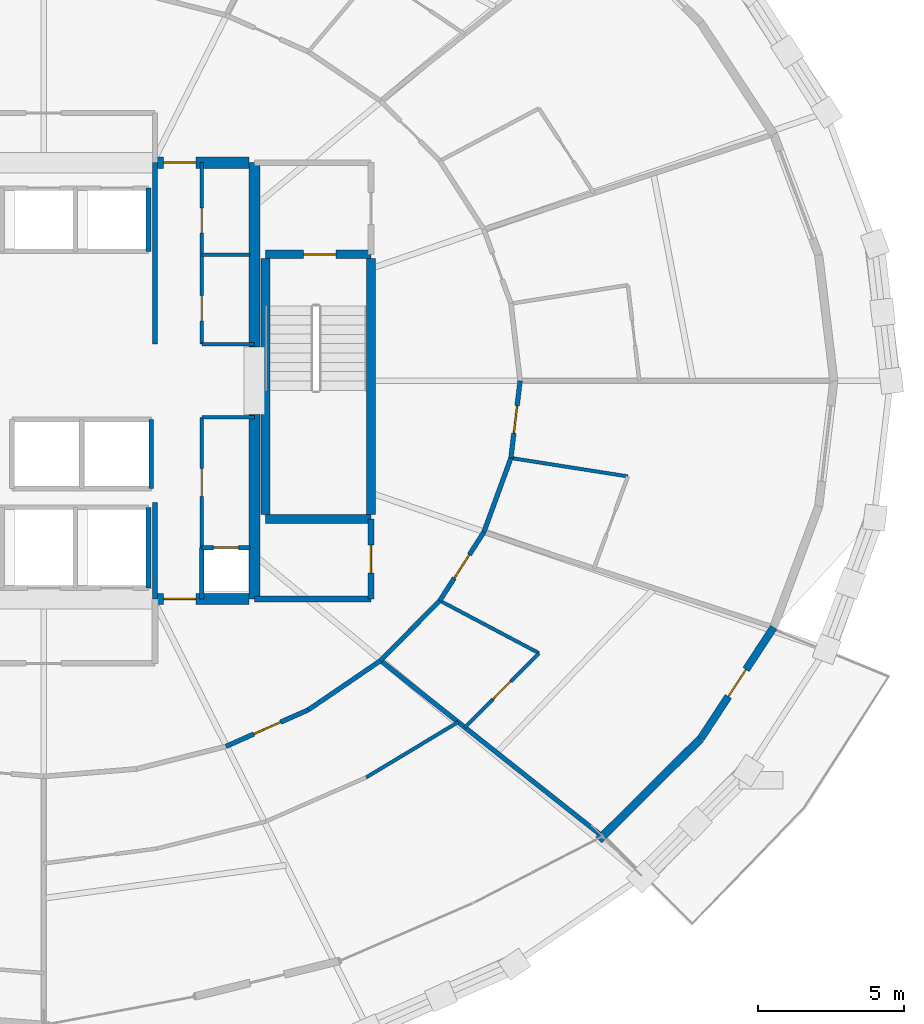
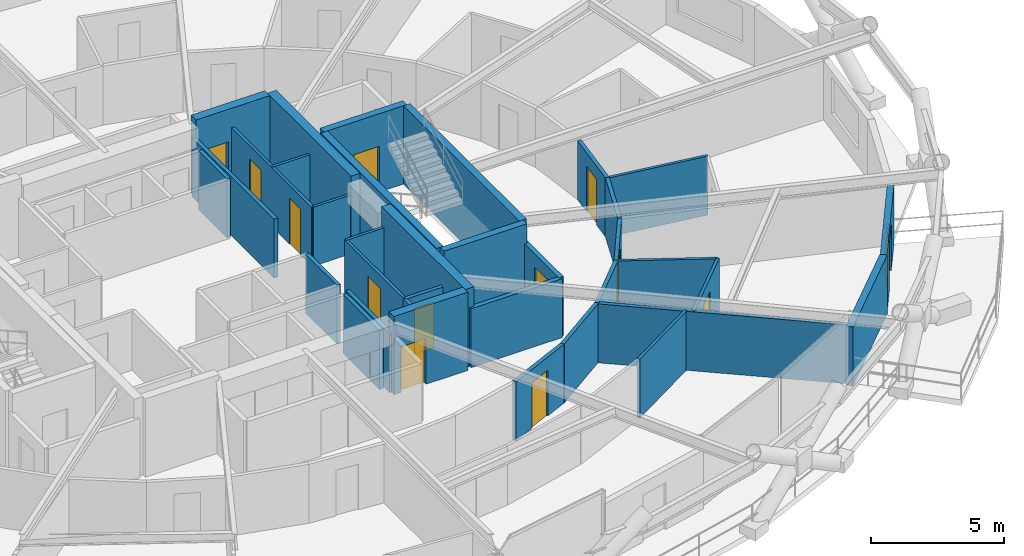
# One storey, part 11 of 14: 35 walls, 13 doors, 13 openings.
"""IFC4 building model written with IfcOpenShell, lengths in metres."""

from ifc_helpers import new_model, si_unit, direction, frame, frame_2d, origin, place, context, subcontext, project, spatial, rectangle, extrude, material, layer, layer_set, type_object, element, fill, save


model = new_model("IFC4")

# Units and contexts
model_context = context("Model", 3, precision=1e-05, world=origin(), true_north=direction((0.0, 1.0)))
body_context = subcontext(model_context, "Body", "Model", "MODEL_VIEW")
ifc_project = project(units=[si_unit("LENGTHUNIT", "METRE"), si_unit("AREAUNIT", "SQUARE_METRE"), si_unit("VOLUMEUNIT", "CUBIC_METRE"), si_unit("PLANEANGLEUNIT", "RADIAN"), si_unit("MASSUNIT", "GRAM", prefix="KILO")], contexts=[model_context])

# Site, building, storey
site_placement = place(None, origin())
site = spatial("IfcSite", under=ifc_project, at=site_placement, CompositionType="ELEMENT")
building_placement = place(site_placement, origin())
building = spatial("IfcBuilding", under=site, at=building_placement, Name="Veldorina Hangang Commons", CompositionType="ELEMENT")
storey_placement = place(building_placement, frame((0.0, 0.0, 88.0)))
storey = spatial("IfcBuildingStorey", under=building, at=storey_placement, Name="L22", CompositionType="ELEMENT", Elevation=88.0)

# Walls
ifc_material_1 = material(Name="Concrete C70/85", Category="concrete")
ifc_layer_1 = layer(ifc_material_1, 0.3798828125)
ifc_layer_set_1 = layer_set([ifc_layer_1], Name="Concrete C70/85")
wall_type_1 = type_object("IfcWallType", Name="CW-RC380-C70", PredefinedType="SHEAR", material=ifc_layer_set_1)
for number, where, z_axis, x_axis, name in (
    (1, (39.199951171875, 16.550048828125, 0.0), (0.0, 0.0, 1.0), (0.0, 1.0, 0.0), "L22 E south core shear wall"),
    (2, (39.199951171875, 25.14990234375, 0.0), (0.0, 0.0, 1.0), (0.0, 1.0, 0.0), "L22 E north core shear wall"),
):
    element("IfcWall", number, at=place(storey_placement, frame(where, z_axis=z_axis, x_axis=x_axis)), inside=storey, type_object=wall_type_1, Name=name, PredefinedType="SHEAR", context=body_context, shape_type="SweptSolid", body=[
        extrude(rectangle(XDim=6.300048828125, YDim=0.3798828125, at=frame_2d((3.14990234375, 0.0))), origin(), (0.0, 0.0, 1.0), 3.60009765625),
    ])

# Wall, opening, door
wall_1_placement = place(storey_placement, frame((35.800048828125, 16.550048828125, 0.0), z_axis=(0.0, 0.0, 1.0), x_axis=(1.0, 0.0, 0.0)))
wall_1 = element("IfcWall", 3, at=wall_1_placement, inside=storey, type_object=wall_type_1, Name="L22 south-east core shear wall", PredefinedType="SHEAR", context=body_context, shape_type="SweptSolid", body=[
    extrude(rectangle(XDim=3.2099609375, YDim=0.3798828125, at=frame_2d((1.60498046875, 0.0))), origin(), (0.0, 0.0, 1.0), 3.60009765625),
])
opening_1_placement = place(wall_1_placement, frame((0.300048828125, 0.0, 0.0)))
opening_1 = element("IfcOpeningElement", 4, at=opening_1_placement, cuts=wall_1, Name="Opening D-08", PredefinedType="OPENING", context=body_context, shape_type="SweptSolid", body=[
    extrude(rectangle(XDim=1.10009765625, YDim=2.10009765625, at=frame_2d((0.550048828125, 1.050048828125))), frame((0.0, 0.199951171875, 0.0), z_axis=(0.0, -1.0, 0.0), x_axis=(1.0, 0.0, 0.0)), (0.0, 0.0, 1.0), 0.39990234375),
])
ifc_material_2 = material(Name="Steel Fire-Rated Smoke Seal", Category="steel")
door_type_1 = type_object("IfcDoorType", Name="DR-FIRE-1100", OperationType="SINGLE_SWING_RIGHT", PredefinedType="DOOR", material=ifc_material_2)
door_1_placement = place(opening_1_placement, origin())
door_1 = element("IfcDoor", 5, at=door_1_placement, inside=storey, type_object=door_type_1, Name="L22 central lift lobby south corridor door", OperationType="SINGLE_SWING_RIGHT", OverallHeight=2.10009765625, OverallWidth=1.10009765625, PredefinedType="DOOR", context=body_context, shape_type="SweptSolid", body=[
    extrude(rectangle(XDim=1.10009765625, YDim=2.10009765625, at=frame_2d((0.550048828125, 1.050048828125))), frame((0.0, 0.02490234375, 0.0), z_axis=(0.0, -1.0, 0.0), x_axis=(1.0, 0.0, 0.0)), (0.0, 0.0, 1.0), 0.050048828125),
])
fill(opening_1, door_1)

wall_2_placement = place(storey_placement, frame((35.800048828125, 31.449951171875, 0.0), z_axis=(0.0, 0.0, 1.0), x_axis=(1.0, 0.0, 0.0)))
wall_2 = element("IfcWall", 6, at=wall_2_placement, inside=storey, type_object=wall_type_1, Name="L22 north-east core shear wall", PredefinedType="SHEAR", context=body_context, shape_type="SweptSolid", body=[
    extrude(rectangle(XDim=3.2099609375, YDim=0.3798828125, at=frame_2d((1.60498046875, 0.0))), origin(), (0.0, 0.0, 1.0), 3.60009765625),
])
opening_2_placement = place(wall_2_placement, frame((0.300048828125, 0.0, 0.0)))
opening_2 = element("IfcOpeningElement", 7, at=opening_2_placement, cuts=wall_2, Name="Opening D-08", PredefinedType="OPENING", context=body_context, shape_type="SweptSolid", body=[
    extrude(rectangle(XDim=1.10009765625, YDim=2.10009765625, at=frame_2d((0.550048828125, 1.050048828125))), frame((0.0, 0.199951171875, 0.0), z_axis=(0.0, -1.0, 0.0), x_axis=(1.0, 0.0, 0.0)), (0.0, 0.0, 1.0), 0.39990234375),
])
door_2_placement = place(opening_2_placement, origin())
door_2 = element("IfcDoor", 8, at=door_2_placement, inside=storey, type_object=door_type_1, Name="L22 central lift lobby north corridor door", OperationType="SINGLE_SWING_LEFT", OverallHeight=2.10009765625, OverallWidth=1.10009765625, PredefinedType="DOOR", context=body_context, shape_type="SweptSolid", body=[
    extrude(rectangle(XDim=1.10009765625, YDim=2.10009765625, at=frame_2d((0.550048828125, 1.050048828125))), frame((0.0, 0.02490234375, 0.0), z_axis=(0.0, -1.0, 0.0), x_axis=(1.0, 0.0, 0.0)), (0.0, 0.0, 1.0), 0.050048828125),
])
fill(opening_2, door_2)

ifc_material_3 = material(Name="Stone Roman Travertine", Category="masonry")
ifc_layer_2 = layer(ifc_material_3, 0.260009765625)
ifc_layer_set_2 = layer_set([ifc_layer_2], Name="Stone Roman Travertine")
wall_type_2 = type_object("IfcWallType", Name="EW-LOGGIA-260", PredefinedType="STANDARD", material=ifc_layer_set_2)
wall_3_placement = place(storey_placement, frame((54.44287109375, 11.77392578125, 0.0), z_axis=(0.0, 0.0, 1.0), x_axis=(0.548243756992, 0.836318589366, 0.0)))
wall_3 = element("IfcWall", 9, at=wall_3_placement, inside=storey, type_object=wall_type_2, Name="L22 sky-garden loggia portal wall 29", PredefinedType="STANDARD", context=body_context, shape_type="SweptSolid", body=[
    extrude(rectangle(XDim=4.54931640625, YDim=0.260009765625, at=frame_2d((2.274658203125, 0.0))), origin(), (0.0, 0.0, 1.0), 2.7099609375),
])
opening_3_placement = place(wall_3_placement, frame((1.724609375, 0.0, 0.0)))
opening_3 = element("IfcOpeningElement", 10, at=opening_3_placement, cuts=wall_3, Name="Opening BD-1100", PredefinedType="OPENING", context=body_context, shape_type="SweptSolid", body=[
    extrude(rectangle(XDim=1.10009765625, YDim=2.14990234375, at=frame_2d((0.550048828125, 1.074951171875))), frame((0.0, 0.14013671875, 0.0), z_axis=(0.0, -1.0, 0.0), x_axis=(1.0, 0.0, 0.0)), (0.0, 0.0, 1.0), 0.280029296875),
])
ifc_material_4 = material(Name="Glass Thermal Aluminium Frame", Category="aluminium")
door_type_2 = type_object("IfcDoorType", Name="DR-EXT-BAL1100", OperationType="SINGLE_SWING_RIGHT", PredefinedType="DOOR", material=ifc_material_4)
door_3_placement = place(opening_3_placement, origin())
door_3 = element("IfcDoor", 11, at=door_3_placement, inside=storey, type_object=door_type_2, Name="L22 tree balcony glazed exterior door 29", OperationType="SINGLE_SWING_RIGHT", OverallHeight=2.14990234375, OverallWidth=1.10009765625, PredefinedType="DOOR", context=body_context, shape_type="SweptSolid", body=[
    extrude(rectangle(XDim=1.10009765625, YDim=2.14990234375, at=frame_2d((0.550048828125, 1.074951171875))), frame((0.0, 0.02490234375, 0.0), z_axis=(0.0, -1.0, 0.0), x_axis=(1.0, 0.0, 0.0)), (0.0, 0.0, 1.0), 0.050048828125),
])
fill(opening_3, door_3)

# Walls
ifc_layer_3 = layer(ifc_material_3, 0.280029296875)
ifc_layer_set_3 = layer_set([ifc_layer_3], Name="Stone Roman Travertine")
wall_type_3 = type_object("IfcWallType", Name="EW-TRAV-280", PredefinedType="STANDARD", material=ifc_layer_set_3)
wall_4_placement = place(storey_placement, frame((50.961181640625, 8.315185546875, 0.0), z_axis=(0.0, 0.0, 1.0), x_axis=(0.709441021492, 0.704764809724, 0.0)))
element("IfcWall", 12, at=wall_4_placement, inside=storey, type_object=wall_type_3, Name="L22 travertine facade wall 28", PredefinedType="STANDARD", context=body_context, shape_type="SweptSolid", body=[
    extrude(rectangle(XDim=4.90771484375, YDim=0.280029296875, at=frame_2d((2.453857421875, 0.0))), origin(), (0.0, 0.0, 1.0), 2.7099609375),
])
ifc_material_5 = material(Name="Concrete C50/60", Category="concrete")
ifc_layer_4 = layer(ifc_material_5, 0.300048828125)
ifc_layer_set_4 = layer_set([ifc_layer_4], Name="Concrete C50/60")
wall_type_4 = type_object("IfcWallType", Name="SW-STAIR-300", PredefinedType="SHEAR", material=ifc_layer_set_4)
for number, where, z_axis, x_axis, name in (
    (13, (43.179931640625, 19.429931640625, 0.0), (0.0, 0.0, 1.0), (0.0, 1.0, 0.0), "L22 ST2 outer stair shear wall"),
    (14, (39.580078125, 19.429931640625, 0.0), (0.0, 0.0, 1.0), (0.0, 1.0, 0.0), "L22 ST2 inner stair shear wall"),
):
    element("IfcWall", number, at=place(storey_placement, frame(where, z_axis=z_axis, x_axis=x_axis)), inside=storey, type_object=wall_type_4, Name=name, PredefinedType="SHEAR", context=body_context, shape_type="SweptSolid", body=[
        extrude(rectangle(XDim=8.739990234375, YDim=0.300048828125, at=frame_2d((4.3701171875, 0.0))), origin(), (0.0, 0.0, 1.0), 3.60009765625),
    ])
wall_5_placement = place(storey_placement, frame((39.580078125, 19.280029296875, 0.0), z_axis=(0.0, 0.0, 1.0), x_axis=(1.0, 0.0, 0.0)))
element("IfcWall", 15, at=wall_5_placement, inside=storey, type_object=wall_type_4, Name="L22 ST2 south stair shear wall", PredefinedType="SHEAR", context=body_context, shape_type="SweptSolid", body=[
    extrude(rectangle(XDim=3.599853515625, YDim=0.300048828125, at=frame_2d((1.7998046875, 0.0))), origin(), (0.0, 0.0, 1.0), 3.60009765625),
])

# Wall, opening, door
wall_6_placement = place(storey_placement, frame((39.580078125, 28.320068359375, 0.0), z_axis=(0.0, 0.0, 1.0), x_axis=(1.0, 0.0, 0.0)))
wall_6 = element("IfcWall", 16, at=wall_6_placement, inside=storey, type_object=wall_type_4, Name="L22 ST2 north stair shear wall", PredefinedType="SHEAR", context=body_context, shape_type="SweptSolid", body=[
    extrude(rectangle(XDim=3.599853515625, YDim=0.300048828125, at=frame_2d((1.7998046875, 0.0))), origin(), (0.0, 0.0, 1.0), 3.60009765625),
])
opening_4_placement = place(wall_6_placement, frame((1.300048828125, 0.0, 0.0)))
opening_4 = element("IfcOpeningElement", 17, at=opening_4_placement, cuts=wall_6, Name="Opening D-08", PredefinedType="OPENING", context=body_context, shape_type="SweptSolid", body=[
    extrude(rectangle(XDim=1.10009765625, YDim=2.10009765625, at=frame_2d((0.550048828125, 1.050048828125))), frame((0.0, 0.16015625, 0.0), z_axis=(0.0, -1.0, 0.0), x_axis=(1.0, 0.0, 0.0)), (0.0, 0.0, 1.0), 0.320068359375),
])
door_4_placement = place(opening_4_placement, origin())
door_4 = element("IfcDoor", 18, at=door_4_placement, inside=storey, type_object=door_type_1, Name="L22 Special Escape Stair ST-2 door", OperationType="SINGLE_SWING_RIGHT", OverallHeight=2.10009765625, OverallWidth=1.10009765625, PredefinedType="DOOR", context=body_context, shape_type="SweptSolid", body=[
    extrude(rectangle(XDim=1.10009765625, YDim=2.10009765625, at=frame_2d((0.550048828125, 1.050048828125))), frame((0.0, 0.02490234375, 0.0), z_axis=(0.0, -1.0, 0.0), x_axis=(1.0, 0.0, 0.0)), (0.0, 0.0, 1.0), 0.050048828125),
])
fill(opening_4, door_4)

# Walls
ifc_material_6 = material(Name="Gypsum Fire-Rated Twin Stud Wall", Category="gypsum")
ifc_layer_5 = layer(ifc_material_6, 0.159912109375)
ifc_layer_set_5 = layer_set([ifc_layer_5], Name="Gypsum Fire-Rated Twin Stud Wall")
wall_type_5 = type_object("IfcWallType", Name="WL-FIRE-160", PredefinedType="SOLIDWALL", material=ifc_layer_set_5)
wall_7_placement = place(storey_placement, frame((35.800048828125, 16.550048828125, 0.0), z_axis=(0.0, 0.0, 1.0), x_axis=(0.0, 1.0, 0.0)))
element("IfcWall", 19, at=wall_7_placement, inside=storey, type_object=wall_type_5, Name="L22 Lift passage SW wall 009", PredefinedType="SOLIDWALL", context=body_context, shape_type="SweptSolid", body=[
    extrude(rectangle(XDim=3.300048828125, YDim=0.159912109375, at=frame_2d((1.64990234375, 0.0))), origin(), (0.0, 0.0, 1.0), 2.7099609375),
])
wall_8_placement = place(storey_placement, frame((37.39990234375, 16.550048828125, 0.0), z_axis=(0.0, 0.0, 1.0), x_axis=(0.0, 1.0, 0.0)))
element("IfcWall", 20, at=wall_8_placement, inside=storey, type_object=wall_type_5, Name="L22 Lift passage SE stub 010", PredefinedType="SOLIDWALL", context=body_context, shape_type="SweptSolid", body=[
    extrude(rectangle(XDim=1.75, YDim=0.159912109375, at=frame_2d((0.875, 0.0))), origin(), (0.0, 0.0, 1.0), 2.7099609375),
])
wall_9_placement = place(storey_placement, frame((35.800048828125, 25.25, 0.0), z_axis=(0.0, 0.0, 1.0), x_axis=(0.0, 1.0, 0.0)))
element("IfcWall", 21, at=wall_9_placement, inside=storey, type_object=wall_type_5, Name="L22 Lift passage NW wall 011", PredefinedType="SOLIDWALL", context=body_context, shape_type="SweptSolid", body=[
    extrude(rectangle(XDim=6.199951171875, YDim=0.159912109375, at=frame_2d((3.10009765625, 0.0))), origin(), (0.0, 0.0, 1.0), 2.7099609375),
])
wall_10_placement = place(storey_placement, frame((35.580078125, 28.419921875, 0.0), z_axis=(0.0, 0.0, 1.0), x_axis=(0.0, 1.0, 0.0)))
element("IfcWall", 22, at=wall_10_placement, inside=storey, type_object=wall_type_5, Name="L22 PL-L3 east shaft wall 020", PredefinedType="SOLIDWALL", context=body_context, shape_type="SweptSolid", body=[
    extrude(rectangle(XDim=2.16015625, YDim=0.159912109375, at=frame_2d((1.080078125, 0.0))), origin(), (0.0, 0.0, 1.0), 2.7099609375),
])
wall_11_placement = place(storey_placement, frame((35.679931640625, 20.320068359375, 0.0), z_axis=(0.0, 0.0, 1.0), x_axis=(0.0, 1.0, 0.0)))
element("IfcWall", 23, at=wall_11_placement, inside=storey, type_object=wall_type_5, Name="L22 SL-2 east shaft wall 025", PredefinedType="SOLIDWALL", context=body_context, shape_type="SweptSolid", body=[
    extrude(rectangle(XDim=2.35986328125, YDim=0.159912109375, at=frame_2d((1.179931640625, 0.0))), origin(), (0.0, 0.0, 1.0), 2.7099609375),
])
wall_12_placement = place(storey_placement, frame((35.580078125, 16.919921875, 0.0), z_axis=(0.0, 0.0, 1.0), x_axis=(0.0, 1.0, 0.0)))
element("IfcWall", 24, at=wall_12_placement, inside=storey, type_object=wall_type_5, Name="L22 EVL-1 east shaft wall 031", PredefinedType="SOLIDWALL", context=body_context, shape_type="SweptSolid", body=[
    extrude(rectangle(XDim=2.760009765625, YDim=0.159912109375, at=frame_2d((1.3798828125, 0.0))), origin(), (0.0, 0.0, 1.0), 2.7099609375),
])

# Wall, opening, door
wall_13_placement = place(storey_placement, frame((37.39990234375, 18.300048828125, 0.0), z_axis=(0.0, 0.0, 1.0), x_axis=(1.0, 0.0, 0.0)))
wall_13 = element("IfcWall", 25, at=wall_13_placement, inside=storey, type_object=wall_type_5, Name="L22 Plumbing riser wall 037", PredefinedType="SOLIDWALL", context=body_context, shape_type="SweptSolid", body=[
    extrude(rectangle(XDim=1.650146484375, YDim=0.159912109375, at=frame_2d((0.8251953125, 0.0))), origin(), (0.0, 0.0, 1.0), 2.7099609375),
])
opening_5_placement = place(wall_13_placement, frame((0.39501953125, 0.0, 0.0)))
opening_5 = element("IfcOpeningElement", 26, at=opening_5_placement, cuts=wall_13, Name="Opening D-01N", PredefinedType="OPENING", context=body_context, shape_type="SweptSolid", body=[
    extrude(rectangle(XDim=0.860107421875, YDim=2.10009765625, at=frame_2d((0.43017578125, 1.050048828125))), frame((0.0, 0.08984375, 0.0), z_axis=(0.0, -1.0, 0.0), x_axis=(1.0, 0.0, 0.0)), (0.0, 0.0, 1.0), 0.179931640625),
])
ifc_material_7 = material(Name="Timber Fire-Rated Core", Category="wood")
door_type_3 = type_object("IfcDoorType", Name="DR-INT-860", OperationType="SINGLE_SWING_LEFT", PredefinedType="DOOR", material=ifc_material_7)
door_5_placement = place(opening_5_placement, origin())
door_5 = element("IfcDoor", 27, at=door_5_placement, inside=storey, type_object=door_type_3, Name="L22 Plumbing riser access door 014", OperationType="SINGLE_SWING_RIGHT", OverallHeight=2.10009765625, OverallWidth=0.860107421875, PredefinedType="TRAPDOOR", context=body_context, shape_type="SweptSolid", body=[
    extrude(rectangle(XDim=0.860107421875, YDim=2.10009765625, at=frame_2d((0.43017578125, 1.050048828125))), frame((0.0, 0.02490234375, 0.0), z_axis=(0.0, -1.0, 0.0), x_axis=(1.0, 0.0, 0.0)), (0.0, 0.0, 1.0), 0.050048828125),
])
fill(opening_5, door_5)

wall_14_placement = place(storey_placement, frame((38.227783203125, 11.510986328125, 0.0), z_axis=(0.0, 0.0, 1.0), x_axis=(0.913952123493, 0.405822024984, 0.0)))
wall_14 = element("IfcWall", 28, at=wall_14_placement, inside=storey, type_object=wall_type_5, Name="L22 Corridor outer wall 26 073", PredefinedType="SOLIDWALL", context=body_context, shape_type="SweptSolid", body=[
    extrude(rectangle(XDim=3.078369140625, YDim=0.159912109375, at=frame_2d((1.5390625, 0.0))), origin(), (0.0, 0.0, 1.0), 2.7099609375),
])
opening_6_placement = place(wall_14_placement, frame((1.039306640625, 0.0, 0.0)))
opening_6 = element("IfcOpeningElement", 29, at=opening_6_placement, cuts=wall_14, Name="Opening D-05", PredefinedType="OPENING", context=body_context, shape_type="SweptSolid", body=[
    extrude(rectangle(XDim=1.0, YDim=2.10009765625, at=frame_2d((0.5, 1.050048828125))), frame((0.0, 0.08984375, 0.0), z_axis=(0.0, -1.0, 0.0), x_axis=(1.0, 0.0, 0.0)), (0.0, 0.0, 1.0), 0.179931640625),
])
ifc_material_8 = material(Name="Timber Solid Core Acoustic", Category="wood")
door_type_4 = type_object("IfcDoorType", Name="DR-INT-1000", OperationType="SINGLE_SWING_RIGHT", PredefinedType="DOOR", material=ifc_material_8)
door_6_placement = place(opening_6_placement, origin())
door_6 = element("IfcDoor", 30, at=door_6_placement, inside=storey, type_object=door_type_4, Name="L22 Commons alcove door 021", OperationType="SINGLE_SWING_LEFT", OverallHeight=2.10009765625, OverallWidth=1.0, PredefinedType="DOOR", context=body_context, shape_type="SweptSolid", body=[
    extrude(rectangle(XDim=1.0, YDim=2.10009765625, at=frame_2d((0.5, 1.050048828125))), frame((0.0, 0.02490234375, 0.0), z_axis=(0.0, -1.0, 0.0), x_axis=(1.0, 0.0, 0.0)), (0.0, 0.0, 1.0), 0.050048828125),
])
fill(opening_6, door_6)

# Walls
wall_15_placement = place(storey_placement, frame((41.041259765625, 12.76025390625, 0.0), z_axis=(0.0, 0.0, 1.0), x_axis=(0.826293096206, 0.56324037423, 0.0)))
element("IfcWall", 31, at=wall_15_placement, inside=storey, type_object=wall_type_5, Name="L22 Corridor outer wall 27 074", PredefinedType="SOLIDWALL", context=body_context, shape_type="SweptSolid", body=[
    extrude(rectangle(XDim=2.98486328125, YDim=0.159912109375, at=frame_2d((1.492431640625, 0.0))), origin(), (0.0, 0.0, 1.0), 2.7099609375),
])
wall_16_placement = place(storey_placement, frame((43.507568359375, 14.44140625, 0.0), z_axis=(0.0, 0.0, 1.0), x_axis=(0.702811997, 0.711375636969, 0.0)))
element("IfcWall", 32, at=wall_16_placement, inside=storey, type_object=wall_type_5, Name="L22 Corridor outer wall 28 075", PredefinedType="SOLIDWALL", context=body_context, shape_type="SweptSolid", body=[
    extrude(rectangle(XDim=2.87939453125, YDim=0.159912109375, at=frame_2d((1.439697265625, 0.0))), origin(), (0.0, 0.0, 1.0), 2.7099609375),
])

# Wall, opening, door
wall_17_placement = place(storey_placement, frame((45.53125, 16.48974609375, 0.0), z_axis=(0.0, 0.0, 1.0), x_axis=(0.541126045017, 0.840941498206, 0.0)))
wall_17 = element("IfcWall", 33, at=wall_17_placement, inside=storey, type_object=wall_type_5, Name="L22 Corridor outer wall 29 076", PredefinedType="SOLIDWALL", context=body_context, shape_type="SweptSolid", body=[
    extrude(rectangle(XDim=2.779296875, YDim=0.159912109375, at=frame_2d((1.3896484375, 0.0))), origin(), (0.0, 0.0, 1.0), 2.7099609375),
])
opening_7_placement = place(wall_17_placement, frame((0.91455078125, 0.0, 0.0)))
opening_7 = element("IfcOpeningElement", 34, at=opening_7_placement, cuts=wall_17, Name="Opening D-03", PredefinedType="OPENING", context=body_context, shape_type="SweptSolid", body=[
    extrude(rectangle(XDim=0.949951171875, YDim=2.10009765625, at=frame_2d((0.47509765625, 1.050048828125))), frame((0.0, 0.08984375, 0.0), z_axis=(0.0, -1.0, 0.0), x_axis=(1.0, 0.0, 0.0)), (0.0, 0.0, 1.0), 0.179931640625),
])
ifc_material_9 = material(Name="Timber Fire-Rated Entrance Core", Category="wood")
door_type_5 = type_object("IfcDoorType", Name="DR-UNIT-950", OperationType="SINGLE_SWING_RIGHT", PredefinedType="DOOR", material=ifc_material_9)
door_7_placement = place(opening_7_placement, origin())
door_7 = element("IfcDoor", 35, at=door_7_placement, inside=storey, type_object=door_type_5, Name="L22 Studio 2 entrance door 024", OperationType="SINGLE_SWING_RIGHT", OverallHeight=2.10009765625, OverallWidth=0.949951171875, PredefinedType="DOOR", context=body_context, shape_type="SweptSolid", body=[
    extrude(rectangle(XDim=0.949951171875, YDim=2.10009765625, at=frame_2d((0.47509765625, 1.050048828125))), frame((0.0, 0.02490234375, 0.0), z_axis=(0.0, -1.0, 0.0), x_axis=(1.0, 0.0, 0.0)), (0.0, 0.0, 1.0), 0.050048828125),
])
fill(opening_7, door_7)

# Wall
wall_18_placement = place(storey_placement, frame((47.03515625, 18.826904296875, 0.0), z_axis=(0.0, 0.0, 1.0), x_axis=(0.343013437329, 0.939330496583, 0.0)))
element("IfcWall", 36, at=wall_18_placement, inside=storey, type_object=wall_type_5, Name="L22 Corridor outer wall 30 077", PredefinedType="SOLIDWALL", context=body_context, shape_type="SweptSolid", body=[
    extrude(rectangle(XDim=2.69970703125, YDim=0.159912109375, at=frame_2d((1.349853515625, 0.0))), origin(), (0.0, 0.0, 1.0), 2.7099609375),
])

# Wall, opening, door
wall_19_placement = place(storey_placement, frame((47.961181640625, 21.36279296875, 0.0), z_axis=(0.0, 0.0, 1.0), x_axis=(0.117763961213, 0.99304161516, 0.0)))
wall_19 = element("IfcWall", 37, at=wall_19_placement, inside=storey, type_object=wall_type_5, Name="L22 Corridor outer wall 31 078", PredefinedType="SOLIDWALL", context=body_context, shape_type="SweptSolid", body=[
    extrude(rectangle(XDim=2.65576171875, YDim=0.159912109375, at=frame_2d((1.327880859375, 0.0))), origin(), (0.0, 0.0, 1.0), 2.7099609375),
])
opening_8_placement = place(wall_19_placement, frame((0.852783203125, 0.0, 0.0)))
opening_8 = element("IfcOpeningElement", 38, at=opening_8_placement, cuts=wall_19, Name="Opening D-03", PredefinedType="OPENING", context=body_context, shape_type="SweptSolid", body=[
    extrude(rectangle(XDim=0.949951171875, YDim=2.10009765625, at=frame_2d((0.47509765625, 1.050048828125))), frame((0.0, 0.08984375, 0.0), z_axis=(0.0, -1.0, 0.0), x_axis=(1.0, 0.0, 0.0)), (0.0, 0.0, 1.0), 0.179931640625),
])
door_8_placement = place(opening_8_placement, origin())
door_8 = element("IfcDoor", 39, at=door_8_placement, inside=storey, type_object=door_type_5, Name="L22 Studio 3 entrance door 026", OperationType="SINGLE_SWING_RIGHT", OverallHeight=2.10009765625, OverallWidth=0.949951171875, PredefinedType="DOOR", context=body_context, shape_type="SweptSolid", body=[
    extrude(rectangle(XDim=0.949951171875, YDim=2.10009765625, at=frame_2d((0.47509765625, 1.050048828125))), frame((0.0, 0.02490234375, 0.0), z_axis=(0.0, -1.0, 0.0), x_axis=(1.0, 0.0, 0.0)), (0.0, 0.0, 1.0), 0.050048828125),
])
fill(opening_8, door_8)

# Wall
wall_20_placement = place(storey_placement, frame((43.507568359375, 14.44140625, 0.0), z_axis=(0.0, 0.0, 1.0), x_axis=(0.783915576776, -0.620867432298, 0.0)))
element("IfcWall", 40, at=wall_20_placement, inside=storey, type_object=wall_type_5, Name="L22 Unit party wall 28 084", PredefinedType="SOLIDWALL", context=body_context, shape_type="SweptSolid", body=[
    extrude(rectangle(XDim=9.617431640625, YDim=0.159912109375, at=frame_2d((4.80859375, 0.0))), origin(), (0.0, 0.0, 1.0), 2.7099609375),
])

# Wall, opening, door
ifc_material_10 = material(Name="Concrete Blockwork Fire Wall C30/37", Category="masonry")
ifc_layer_6 = layer(ifc_material_10, 0.199951171875)
ifc_layer_set_6 = layer_set([ifc_layer_6], Name="Concrete Blockwork Fire Wall C30/37")
wall_type_6 = type_object("IfcWallType", Name="WL-FIRE-200", PredefinedType="SOLIDWALL", material=ifc_layer_set_6)
wall_21_placement = place(storey_placement, frame((43.179931640625, 16.550048828125, 0.0), z_axis=(0.0, 0.0, 1.0), x_axis=(0.0, 1.0, 0.0)))
wall_21 = element("IfcWall", 41, at=wall_21_placement, inside=storey, type_object=wall_type_6, Name="L22 SE core room outer wall 007", PredefinedType="SOLIDWALL", context=body_context, shape_type="SweptSolid", body=[
    extrude(rectangle(XDim=2.72998046875, YDim=0.199951171875, at=frame_2d((1.364990234375, 0.0))), origin(), (0.0, 0.0, 1.0), 2.7099609375),
])
opening_9_placement = place(wall_21_placement, frame((0.889892578125, 0.0, 0.0)))
opening_9 = element("IfcOpeningElement", 42, at=opening_9_placement, cuts=wall_21, Name="Opening D-02", PredefinedType="OPENING", context=body_context, shape_type="SweptSolid", body=[
    extrude(rectangle(XDim=0.949951171875, YDim=2.10009765625, at=frame_2d((0.47509765625, 1.050048828125))), frame((0.0, 0.10986328125, 0.0), z_axis=(0.0, -1.0, 0.0), x_axis=(1.0, 0.0, 0.0)), (0.0, 0.0, 1.0), 0.219970703125),
])
door_type_6 = type_object("IfcDoorType", Name="DR-INT-950", OperationType="SINGLE_SWING_LEFT", PredefinedType="DOOR", material=ifc_material_8)
door_9_placement = place(opening_9_placement, origin())
door_9 = element("IfcDoor", 43, at=door_9_placement, inside=storey, type_object=door_type_6, Name="L22 SE core WC door 004", OperationType="SINGLE_SWING_RIGHT", OverallHeight=2.10009765625, OverallWidth=0.949951171875, PredefinedType="DOOR", context=body_context, shape_type="SweptSolid", body=[
    extrude(rectangle(XDim=0.949951171875, YDim=2.10009765625, at=frame_2d((0.47509765625, 1.050048828125))), frame((0.0, 0.02490234375, 0.0), z_axis=(0.0, -1.0, 0.0), x_axis=(1.0, 0.0, 0.0)), (0.0, 0.0, 1.0), 0.050048828125),
])
fill(opening_9, door_9)

# Wall
wall_22_placement = place(storey_placement, frame((39.199951171875, 16.550048828125, 0.0), z_axis=(0.0, 0.0, 1.0), x_axis=(1.0, 0.0, 0.0)))
element("IfcWall", 44, at=wall_22_placement, inside=storey, type_object=wall_type_6, Name="L22 SE core room south wall 008", PredefinedType="SOLIDWALL", context=body_context, shape_type="SweptSolid", body=[
    extrude(rectangle(XDim=3.97998046875, YDim=0.199951171875, at=frame_2d((1.989990234375, 0.0))), origin(), (0.0, 0.0, 1.0), 2.7099609375),
])

# Wall, openings, doors
ifc_material_11 = material(Name="Gypsum Acoustic Stud Partition", Category="gypsum")
ifc_layer_7 = layer(ifc_material_11, 0.1201171875)
ifc_layer_set_7 = layer_set([ifc_layer_7], Name="Gypsum Acoustic Stud Partition")
wall_type_7 = type_object("IfcWallType", Name="WL-PART-120", PredefinedType="PARTITIONING", material=ifc_layer_set_7)
wall_23_placement = place(storey_placement, frame((37.39990234375, 25.25, 0.0), z_axis=(0.0, 0.0, 1.0), x_axis=(0.0, 1.0, 0.0)))
wall_23 = element("IfcWall", 45, at=wall_23_placement, inside=storey, type_object=wall_type_7, Name="L22 NE strip lobby wall 041", PredefinedType="PARTITIONING", context=body_context, shape_type="SweptSolid", body=[
    extrude(rectangle(XDim=6.199951171875, YDim=0.1201171875, at=frame_2d((3.10009765625, 0.0))), origin(), (0.0, 0.0, 1.0), 2.7099609375),
])
opening_10_placement = place(wall_23_placement, frame((0.800048828125, 0.0, 0.0)))
opening_10 = element("IfcOpeningElement", 46, at=opening_10_placement, cuts=wall_23, Name="Opening D-01", PredefinedType="OPENING", context=body_context, shape_type="SweptSolid", body=[
    extrude(rectangle(XDim=0.860107421875, YDim=2.10009765625, at=frame_2d((0.43017578125, 1.050048828125))), frame((0.0, 0.070068359375, 0.0), z_axis=(0.0, -1.0, 0.0), x_axis=(1.0, 0.0, 0.0)), (0.0, 0.0, 1.0), 0.14013671875),
])
opening_11_placement = place(wall_23_placement, frame((3.800048828125, 0.0, 0.0)))
opening_11 = element("IfcOpeningElement", 47, at=opening_11_placement, cuts=wall_23, Name="Opening D-01", PredefinedType="OPENING", context=body_context, shape_type="SweptSolid", body=[
    extrude(rectangle(XDim=0.860107421875, YDim=2.10009765625, at=frame_2d((0.43017578125, 1.050048828125))), frame((0.0, 0.070068359375, 0.0), z_axis=(0.0, -1.0, 0.0), x_axis=(1.0, 0.0, 0.0)), (0.0, 0.0, 1.0), 0.14013671875),
])
ifc_material_12 = material(Name="Timber Moisture-Resistant Core", Category="wood")
door_type_7 = type_object("IfcDoorType", Name="DR-WET-860", OperationType="SINGLE_SWING_LEFT", PredefinedType="DOOR", material=ifc_material_12)
door_10_placement = place(opening_10_placement, origin())
door_10 = element("IfcDoor", 48, at=door_10_placement, inside=storey, type_object=door_type_7, Name="L22 Electrical closet door 018", OperationType="SINGLE_SWING_RIGHT", OverallHeight=2.10009765625, OverallWidth=0.860107421875, PredefinedType="DOOR", context=body_context, shape_type="SweptSolid", body=[
    extrude(rectangle(XDim=0.860107421875, YDim=2.10009765625, at=frame_2d((0.43017578125, 1.050048828125))), frame((0.0, 0.02490234375, 0.0), z_axis=(0.0, -1.0, 0.0), x_axis=(1.0, 0.0, 0.0)), (0.0, 0.0, 1.0), 0.050048828125),
])
fill(opening_10, door_10)
door_11_placement = place(opening_11_placement, origin())
door_11 = element("IfcDoor", 49, at=door_11_placement, inside=storey, type_object=door_type_7, Name="L22 IT closet door 019", OperationType="SINGLE_SWING_LEFT", OverallHeight=2.10009765625, OverallWidth=0.860107421875, PredefinedType="DOOR", context=body_context, shape_type="SweptSolid", body=[
    extrude(rectangle(XDim=0.860107421875, YDim=2.10009765625, at=frame_2d((0.43017578125, 1.050048828125))), frame((0.0, 0.02490234375, 0.0), z_axis=(0.0, -1.0, 0.0), x_axis=(1.0, 0.0, 0.0)), (0.0, 0.0, 1.0), 0.050048828125),
])
fill(opening_11, door_11)

# Wall
wall_24_placement = place(storey_placement, frame((37.39990234375, 25.25, 0.0), z_axis=(0.0, 0.0, 1.0), x_axis=(1.0, 0.0, 0.0)))
element("IfcWall", 50, at=wall_24_placement, inside=storey, type_object=wall_type_7, Name="L22 NE strip south return wall 042", PredefinedType="PARTITIONING", context=body_context, shape_type="SweptSolid", body=[
    extrude(rectangle(XDim=1.800048828125, YDim=0.1201171875, at=frame_2d((0.89990234375, 0.0))), origin(), (0.0, 0.0, 1.0), 2.7099609375),
])

# Wall, opening, door
wall_25_placement = place(storey_placement, frame((37.39990234375, 18.300048828125, 0.0), z_axis=(0.0, 0.0, 1.0), x_axis=(0.0, 1.0, 0.0)))
wall_25 = element("IfcWall", 51, at=wall_25_placement, inside=storey, type_object=wall_type_7, Name="L22 SE strip lobby wall 043", PredefinedType="PARTITIONING", context=body_context, shape_type="SweptSolid", body=[
    extrude(rectangle(XDim=4.449951171875, YDim=0.1201171875, at=frame_2d((2.22509765625, 0.0))), origin(), (0.0, 0.0, 1.0), 2.7099609375),
])
opening_12_placement = place(wall_25_placement, frame((1.75, 0.0, 0.0)))
opening_12 = element("IfcOpeningElement", 52, at=opening_12_placement, cuts=wall_25, Name="Opening D-02", PredefinedType="OPENING", context=body_context, shape_type="SweptSolid", body=[
    extrude(rectangle(XDim=0.949951171875, YDim=2.10009765625, at=frame_2d((0.47509765625, 1.050048828125))), frame((0.0, 0.070068359375, 0.0), z_axis=(0.0, -1.0, 0.0), x_axis=(1.0, 0.0, 0.0)), (0.0, 0.0, 1.0), 0.14013671875),
])
door_12_placement = place(opening_12_placement, origin())
door_12 = element("IfcDoor", 53, at=door_12_placement, inside=storey, type_object=door_type_6, Name="L22 Cleaners supply door 020", OperationType="SINGLE_SWING_RIGHT", OverallHeight=2.10009765625, OverallWidth=0.949951171875, PredefinedType="DOOR", context=body_context, shape_type="SweptSolid", body=[
    extrude(rectangle(XDim=0.949951171875, YDim=2.10009765625, at=frame_2d((0.47509765625, 1.050048828125))), frame((0.0, 0.02490234375, 0.0), z_axis=(0.0, -1.0, 0.0), x_axis=(1.0, 0.0, 0.0)), (0.0, 0.0, 1.0), 0.050048828125),
])
fill(opening_12, door_12)

# Walls
wall_26_placement = place(storey_placement, frame((37.39990234375, 22.75, 0.0), z_axis=(0.0, 0.0, 1.0), x_axis=(1.0, 0.0, 0.0)))
element("IfcWall", 54, at=wall_26_placement, inside=storey, type_object=wall_type_7, Name="L22 SE strip north return wall 044", PredefinedType="PARTITIONING", context=body_context, shape_type="SweptSolid", body=[
    extrude(rectangle(XDim=1.800048828125, YDim=0.1201171875, at=frame_2d((0.89990234375, 0.0))), origin(), (0.0, 0.0, 1.0), 2.7099609375),
])
wall_27_placement = place(storey_placement, frame((37.39990234375, 28.300048828125, 0.0), z_axis=(0.0, 0.0, 1.0), x_axis=(1.0, 0.0, 0.0)))
element("IfcWall", 55, at=wall_27_placement, inside=storey, type_object=wall_type_7, Name="L22 NE mid wall 046", PredefinedType="PARTITIONING", context=body_context, shape_type="SweptSolid", body=[
    extrude(rectangle(XDim=1.650146484375, YDim=0.1201171875, at=frame_2d((0.8251953125, 0.0))), origin(), (0.0, 0.0, 1.0), 2.7099609375),
])
wall_28_placement = place(storey_placement, frame((43.0166015625, 10.452880859375, 0.0), z_axis=(0.0, 0.0, 1.0), x_axis=(0.857287225794, 0.514838433385, 0.0)))
element("IfcWall", 56, at=wall_28_placement, inside=storey, type_object=wall_type_7, Name="L22 Lounge alcove split 3 083", PredefinedType="PARTITIONING", context=body_context, shape_type="SweptSolid", body=[
    extrude(rectangle(XDim=3.66650390625, YDim=0.1201171875, at=frame_2d((1.833251953125, 0.0))), origin(), (0.0, 0.0, 1.0), 2.7099609375),
])

# Wall, opening, door
wall_29_placement = place(storey_placement, frame((46.38720703125, 12.160400390625, 0.0), z_axis=(0.0, 0.0, 1.0), x_axis=(0.706152338319, 0.708059937496, 0.0)))
wall_29 = element("IfcWall", 57, at=wall_29_placement, inside=storey, type_object=wall_type_7, Name="L22 Studio 2 bath front wall 085", PredefinedType="PARTITIONING", context=body_context, shape_type="SweptSolid", body=[
    extrude(rectangle(XDim=3.58349609375, YDim=0.1201171875, at=frame_2d((1.791748046875, 0.0))), origin(), (0.0, 0.0, 1.0), 2.7099609375),
])
opening_13_placement = place(wall_29_placement, frame((1.36181640625, 0.0, 0.0)))
opening_13 = element("IfcOpeningElement", 58, at=opening_13_placement, cuts=wall_29, Name="Opening D-01", PredefinedType="OPENING", context=body_context, shape_type="SweptSolid", body=[
    extrude(rectangle(XDim=0.860107421875, YDim=2.10009765625, at=frame_2d((0.43017578125, 1.050048828125))), frame((0.0, 0.070068359375, 0.0), z_axis=(0.0, -1.0, 0.0), x_axis=(1.0, 0.0, 0.0)), (0.0, 0.0, 1.0), 0.14013671875),
])
door_13_placement = place(opening_13_placement, origin())
door_13 = element("IfcDoor", 59, at=door_13_placement, inside=storey, type_object=door_type_7, Name="L22 Studio 2 bathroom door 023", OperationType="SINGLE_SWING_LEFT", OverallHeight=2.10009765625, OverallWidth=0.860107421875, PredefinedType="DOOR", context=body_context, shape_type="SweptSolid", body=[
    extrude(rectangle(XDim=0.860107421875, YDim=2.10009765625, at=frame_2d((0.43017578125, 1.050048828125))), frame((0.0, 0.02490234375, 0.0), z_axis=(0.0, -1.0, 0.0), x_axis=(1.0, 0.0, 0.0)), (0.0, 0.0, 1.0), 0.050048828125),
])
fill(opening_13, door_13)

# Walls
wall_30_placement = place(storey_placement, frame((45.53125, 16.48974609375, 0.0), z_axis=(0.0, 0.0, 1.0), x_axis=(0.883879348267, -0.46771497486, 0.0)))
element("IfcWall", 60, at=wall_30_placement, inside=storey, type_object=wall_type_7, Name="L22 Studio 2 bath side wall 086", PredefinedType="PARTITIONING", context=body_context, shape_type="SweptSolid", body=[
    extrude(rectangle(XDim=3.831298828125, YDim=0.1201171875, at=frame_2d((1.91552734375, 0.0))), origin(), (0.0, 0.0, 1.0), 2.7099609375),
])
wall_31_placement = place(storey_placement, frame((47.961181640625, 21.36279296875, 0.0), z_axis=(0.0, 0.0, 1.0), x_axis=(0.987813821357, -0.155640143715, 0.0)))
element("IfcWall", 61, at=wall_31_placement, inside=storey, type_object=wall_type_7, Name="L22 Studio 3 bath side wall 089", PredefinedType="PARTITIONING", context=body_context, shape_type="SweptSolid", body=[
    extrude(rectangle(XDim=4.0439453125, YDim=0.1201171875, at=frame_2d((2.02197265625, 0.0))), origin(), (0.0, 0.0, 1.0), 2.7099609375),
])

save(model, "model.ifc")
